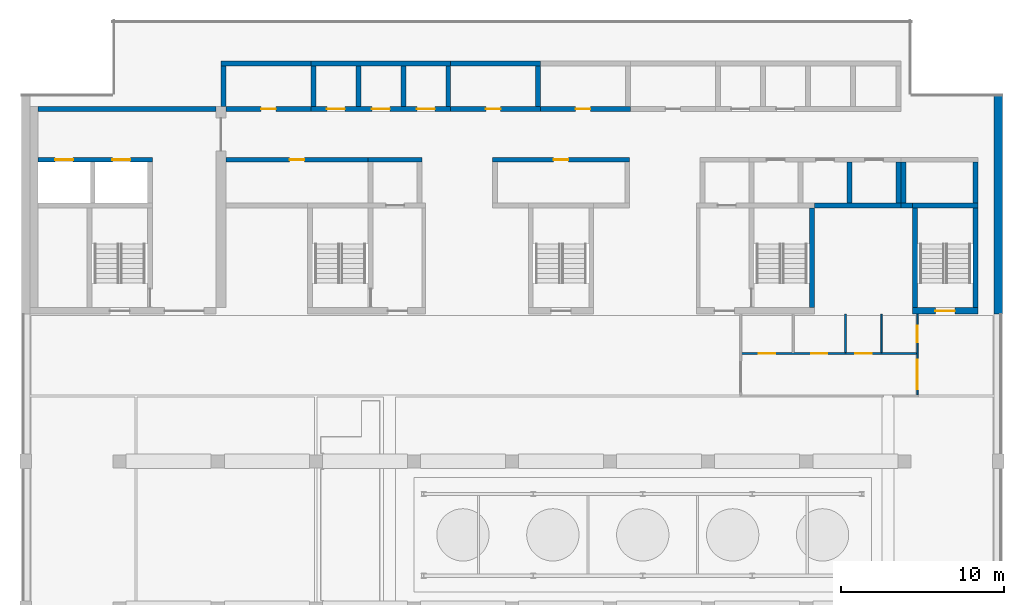
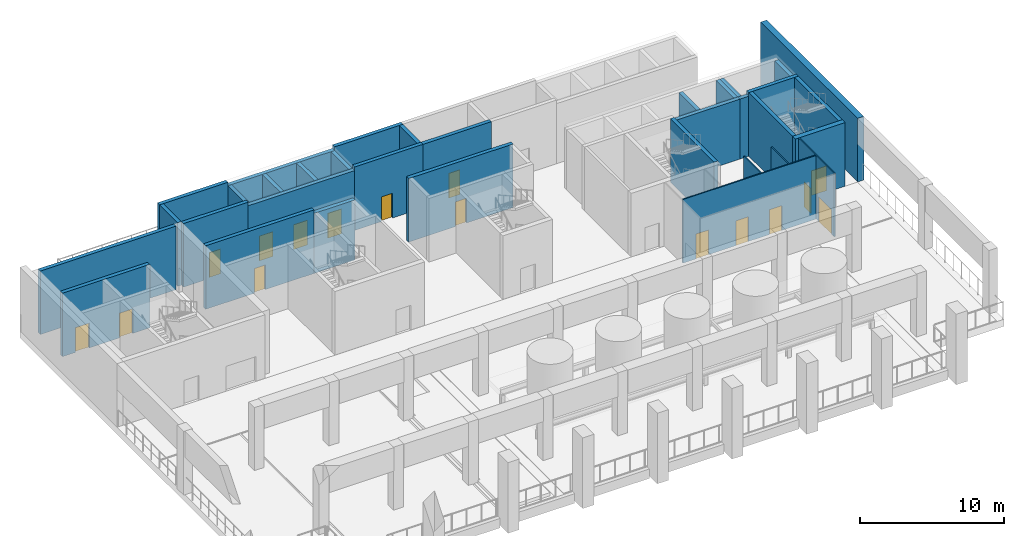
# One storey, part 5 of 11: 34 walls, 16 doors, 16 openings.
"""IFC4 building model written with IfcOpenShell, lengths in metres."""

from ifc_helpers import new_model, si_unit, direction, frame, frame_2d, origin, place, context, subcontext, project, spatial, rectangle, extrude, material, layer, layer_set, type_object, element, fill, save


model = new_model("IFC4")

# Units and contexts
model_context = context("Model", 3, precision=1e-05, world=origin(), true_north=direction((0.0, 1.0)))
body_context = subcontext(model_context, "Body", "Model", "MODEL_VIEW")
ifc_project = project(units=[si_unit("LENGTHUNIT", "METRE"), si_unit("AREAUNIT", "SQUARE_METRE"), si_unit("VOLUMEUNIT", "CUBIC_METRE"), si_unit("PLANEANGLEUNIT", "RADIAN"), si_unit("MASSUNIT", "GRAM", prefix="KILO")], contexts=[model_context])

# Site, building, storey
site_placement = place(None, origin())
site = spatial("IfcSite", under=ifc_project, at=site_placement, CompositionType="ELEMENT")
building_placement = place(site_placement, origin())
building = spatial("IfcBuilding", under=site, at=building_placement, Name="Calvaro Tower", CompositionType="ELEMENT")
storey_placement = place(building_placement, frame((0.0, 0.0, 265.949951171875)))
storey = spatial("IfcBuildingStorey", under=building, at=storey_placement, Name="L67", CompositionType="ELEMENT", Elevation=265.949951171875)

# Wall
ifc_material_1 = material(Name="Blockwork partition", Category="masonry")
ifc_layer_1 = layer(ifc_material_1, 0.300048828125)
ifc_layer_set_1 = layer_set([ifc_layer_1], Name="Blockwork partition")
wall_type_1 = type_object("IfcWallType", Name="Core partition 300 REI 120", PredefinedType="PARTITIONING", material=ifc_layer_set_1)
wall_1_placement = place(storey_placement, frame((7.0, 40.550048828125, 0.0), z_axis=(0.0, 0.0, 1.0), x_axis=(1.0, 0.0, 0.0)))
element("IfcWall", 1, at=wall_1_placement, inside=storey, type_object=wall_type_1, Name="Core partition", PredefinedType="PARTITIONING", context=body_context, shape_type="SweptSolid", body=[
    extrude(rectangle(XDim=10.89990234375, YDim=0.300048828125, at=frame_2d((5.449951171875, 0.0))), origin(), (0.0, 0.0, 1.0), 5.400146484375),
])

# Wall, opening, door
wall_2_placement = place(storey_placement, frame((18.5, 37.449951171875, 0.0), z_axis=(0.0, 0.0, 1.0), x_axis=(1.0, 0.0, 0.0)))
wall_2 = element("IfcWall", 2, at=wall_2_placement, inside=storey, type_object=wall_type_1, Name="Core partition", PredefinedType="PARTITIONING", context=body_context, shape_type="SweptSolid", body=[
    extrude(rectangle(XDim=8.699951171875, YDim=0.300048828125, at=frame_2d((4.35009765625, 0.0))), origin(), (0.0, 0.0, 1.0), 5.400146484375),
])
opening_1_placement = place(wall_2_placement, frame((3.89990234375, 0.0, 0.0)))
opening_1 = element("IfcOpeningElement", 3, at=opening_1_placement, cuts=wall_2, Name="Opening RD9E", PredefinedType="OPENING", context=body_context, shape_type="SweptSolid", body=[
    extrude(rectangle(XDim=0.89990234375, YDim=2.10009765625, at=frame_2d((0.449951171875, 1.050048828125))), frame((0.0, 0.159912109375, 0.0), z_axis=(0.0, -1.0, 0.0), x_axis=(1.0, 0.0, 0.0)), (0.0, 0.0, 1.0), 0.320068359375),
])
ifc_material_2 = material(Name="Steel door set", Category="steel")
door_type_1 = type_object("IfcDoorType", Name="Room door 900 FD60", OperationType="SINGLE_SWING_LEFT", PredefinedType="DOOR", material=ifc_material_2)
door_1_placement = place(opening_1_placement, origin())
door_1 = element("IfcDoor", 4, at=door_1_placement, inside=storey, type_object=door_type_1, Name="Room door", OperationType="SINGLE_SWING_RIGHT", OverallHeight=2.10009765625, OverallWidth=0.89990234375, PredefinedType="DOOR", context=body_context, shape_type="SweptSolid", body=[
    extrude(rectangle(XDim=0.89990234375, YDim=2.10009765625, at=frame_2d((0.449951171875, 1.050048828125))), frame((0.0, 0.02490234375, 0.0), z_axis=(0.0, -1.0, 0.0), x_axis=(1.0, 0.0, 0.0)), (0.0, 0.0, 1.0), 0.050048828125),
])
fill(opening_1, door_1)

wall_3_placement = place(storey_placement, frame((34.800048828125, 37.449951171875, 0.0), z_axis=(0.0, 0.0, 1.0), x_axis=(1.0, 0.0, 0.0)))
wall_3 = element("IfcWall", 5, at=wall_3_placement, inside=storey, type_object=wall_type_1, Name="Core partition", PredefinedType="PARTITIONING", context=body_context, shape_type="SweptSolid", body=[
    extrude(rectangle(XDim=8.39990234375, YDim=0.300048828125, at=frame_2d((4.199951171875, 0.0))), origin(), (0.0, 0.0, 1.0), 5.400146484375),
])
opening_2_placement = place(wall_3_placement, frame((3.75, 0.0, 0.0)))
opening_2 = element("IfcOpeningElement", 6, at=opening_2_placement, cuts=wall_3, Name="Opening RD9E", PredefinedType="OPENING", context=body_context, shape_type="SweptSolid", body=[
    extrude(rectangle(XDim=0.89990234375, YDim=2.10009765625, at=frame_2d((0.449951171875, 1.050048828125))), frame((0.0, 0.159912109375, 0.0), z_axis=(0.0, -1.0, 0.0), x_axis=(1.0, 0.0, 0.0)), (0.0, 0.0, 1.0), 0.320068359375),
])
door_2_placement = place(opening_2_placement, origin())
door_2 = element("IfcDoor", 7, at=door_2_placement, inside=storey, type_object=door_type_1, Name="Room door", OperationType="SINGLE_SWING_LEFT", OverallHeight=2.10009765625, OverallWidth=0.89990234375, PredefinedType="DOOR", context=body_context, shape_type="SweptSolid", body=[
    extrude(rectangle(XDim=0.89990234375, YDim=2.10009765625, at=frame_2d((0.449951171875, 1.050048828125))), frame((0.0, 0.02490234375, 0.0), z_axis=(0.0, -1.0, 0.0), x_axis=(1.0, 0.0, 0.0)), (0.0, 0.0, 1.0), 0.050048828125),
])
fill(opening_2, door_2)

wall_4_placement = place(storey_placement, frame((18.5, 40.550048828125, 0.0), z_axis=(0.0, 0.0, 1.0), x_axis=(1.0, 0.0, 0.0)))
wall_4 = element("IfcWall", 8, at=wall_4_placement, inside=storey, type_object=wall_type_1, Name="Core partition", PredefinedType="PARTITIONING", context=body_context, shape_type="SweptSolid", body=[
    extrude(rectangle(XDim=5.199951171875, YDim=0.300048828125, at=frame_2d((2.60009765625, 0.0))), origin(), (0.0, 0.0, 1.0), 5.400146484375),
])
opening_3_placement = place(wall_4_placement, frame((2.14990234375, 0.0, 0.0)))
opening_3 = element("IfcOpeningElement", 9, at=opening_3_placement, cuts=wall_4, Name="Opening RD9E", PredefinedType="OPENING", context=body_context, shape_type="SweptSolid", body=[
    extrude(rectangle(XDim=0.89990234375, YDim=2.10009765625, at=frame_2d((0.449951171875, 1.050048828125))), frame((0.0, 0.159912109375, 0.0), z_axis=(0.0, -1.0, 0.0), x_axis=(1.0, 0.0, 0.0)), (0.0, 0.0, 1.0), 0.320068359375),
])
door_3_placement = place(opening_3_placement, origin())
door_3 = element("IfcDoor", 10, at=door_3_placement, inside=storey, type_object=door_type_1, Name="Room door", OperationType="SINGLE_SWING_RIGHT", OverallHeight=2.10009765625, OverallWidth=0.89990234375, PredefinedType="DOOR", context=body_context, shape_type="SweptSolid", body=[
    extrude(rectangle(XDim=0.89990234375, YDim=2.10009765625, at=frame_2d((0.449951171875, 1.050048828125))), frame((0.0, 0.02490234375, 0.0), z_axis=(0.0, -1.0, 0.0), x_axis=(1.0, 0.0, 0.0)), (0.0, 0.0, 1.0), 0.050048828125),
])
fill(opening_3, door_3)

# Walls
wall_5_placement = place(storey_placement, frame((18.199951171875, 43.35009765625, 0.0), z_axis=(0.0, 0.0, 1.0), x_axis=(1.0, 0.0, 0.0)))
element("IfcWall", 11, at=wall_5_placement, inside=storey, type_object=wall_type_1, Name="Core partition", PredefinedType="PARTITIONING", context=body_context, shape_type="SweptSolid", body=[
    extrude(rectangle(XDim=5.5, YDim=0.300048828125, at=frame_2d((2.75, 0.0))), origin(), (0.0, 0.0, 1.0), 5.400146484375),
])
wall_6_placement = place(storey_placement, frame((18.35009765625, 40.699951171875, 0.0), z_axis=(0.0, 0.0, 1.0), x_axis=(0.0, 1.0, 0.0)))
element("IfcWall", 12, at=wall_6_placement, inside=storey, type_object=wall_type_1, Name="Core partition", PredefinedType="PARTITIONING", context=body_context, shape_type="SweptSolid", body=[
    extrude(rectangle(XDim=2.5, YDim=0.300048828125, at=frame_2d((1.25, 0.0))), origin(), (0.0, 0.0, 1.0), 5.400146484375),
])

# Wall, opening, door
wall_7_placement = place(storey_placement, frame((32.25, 40.550048828125, 0.0), z_axis=(0.0, 0.0, 1.0), x_axis=(1.0, 0.0, 0.0)))
wall_7 = element("IfcWall", 13, at=wall_7_placement, inside=storey, type_object=wall_type_1, Name="Core partition", PredefinedType="PARTITIONING", context=body_context, shape_type="SweptSolid", body=[
    extrude(rectangle(XDim=5.5, YDim=0.300048828125, at=frame_2d((2.75, 0.0))), origin(), (0.0, 0.0, 1.0), 5.400146484375),
])
opening_4_placement = place(wall_7_placement, frame((2.14990234375, 0.0, 0.0)))
opening_4 = element("IfcOpeningElement", 14, at=opening_4_placement, cuts=wall_7, Name="Opening RD9E", PredefinedType="OPENING", context=body_context, shape_type="SweptSolid", body=[
    extrude(rectangle(XDim=0.89990234375, YDim=2.10009765625, at=frame_2d((0.449951171875, 1.050048828125))), frame((0.0, 0.159912109375, 0.0), z_axis=(0.0, -1.0, 0.0), x_axis=(1.0, 0.0, 0.0)), (0.0, 0.0, 1.0), 0.320068359375),
])
door_4_placement = place(opening_4_placement, origin())
door_4 = element("IfcDoor", 15, at=door_4_placement, inside=storey, type_object=door_type_1, Name="Room door", OperationType="SINGLE_SWING_LEFT", OverallHeight=2.10009765625, OverallWidth=0.89990234375, PredefinedType="DOOR", context=body_context, shape_type="SweptSolid", body=[
    extrude(rectangle(XDim=0.89990234375, YDim=2.10009765625, at=frame_2d((0.449951171875, 1.050048828125))), frame((0.0, 0.02490234375, 0.0), z_axis=(0.0, -1.0, 0.0), x_axis=(1.0, 0.0, 0.0)), (0.0, 0.0, 1.0), 0.050048828125),
])
fill(opening_4, door_4)

# Walls
wall_8_placement = place(storey_placement, frame((32.25, 43.35009765625, 0.0), z_axis=(0.0, 0.0, 1.0), x_axis=(1.0, 0.0, 0.0)))
element("IfcWall", 16, at=wall_8_placement, inside=storey, type_object=wall_type_1, Name="Core partition", PredefinedType="PARTITIONING", context=body_context, shape_type="SweptSolid", body=[
    extrude(rectangle(XDim=5.5, YDim=0.300048828125, at=frame_2d((2.75, 0.0))), origin(), (0.0, 0.0, 1.0), 5.400146484375),
])
wall_9_placement = place(storey_placement, frame((37.60009765625, 40.699951171875, 0.0), z_axis=(0.0, 0.0, 1.0), x_axis=(0.0, 1.0, 0.0)))
element("IfcWall", 17, at=wall_9_placement, inside=storey, type_object=wall_type_1, Name="Core partition", PredefinedType="PARTITIONING", context=body_context, shape_type="SweptSolid", body=[
    extrude(rectangle(XDim=2.5, YDim=0.300048828125, at=frame_2d((1.25, 0.0))), origin(), (0.0, 0.0, 1.0), 5.400146484375),
])

# Wall, opening, door
wall_10_placement = place(storey_placement, frame((37.75, 40.550048828125, 0.0), z_axis=(0.0, 0.0, 1.0), x_axis=(1.0, 0.0, 0.0)))
wall_10 = element("IfcWall", 18, at=wall_10_placement, inside=storey, type_object=wall_type_1, Name="Core partition", PredefinedType="PARTITIONING", context=body_context, shape_type="SweptSolid", body=[
    extrude(rectangle(XDim=5.5, YDim=0.300048828125, at=frame_2d((2.75, 0.0))), origin(), (0.0, 0.0, 1.0), 5.400146484375),
])
opening_5_placement = place(wall_10_placement, frame((2.14990234375, 0.0, 0.0)))
opening_5 = element("IfcOpeningElement", 19, at=opening_5_placement, cuts=wall_10, Name="Opening RD9E", PredefinedType="OPENING", context=body_context, shape_type="SweptSolid", body=[
    extrude(rectangle(XDim=0.89990234375, YDim=2.10009765625, at=frame_2d((0.449951171875, 1.050048828125))), frame((0.0, 0.159912109375, 0.0), z_axis=(0.0, -1.0, 0.0), x_axis=(1.0, 0.0, 0.0)), (0.0, 0.0, 1.0), 0.320068359375),
])
door_5_placement = place(opening_5_placement, origin())
door_5 = element("IfcDoor", 20, at=door_5_placement, inside=storey, type_object=door_type_1, Name="Room door", OperationType="SINGLE_SWING_LEFT", OverallHeight=2.10009765625, OverallWidth=0.89990234375, PredefinedType="DOOR", context=body_context, shape_type="SweptSolid", body=[
    extrude(rectangle(XDim=0.89990234375, YDim=2.10009765625, at=frame_2d((0.449951171875, 1.050048828125))), frame((0.0, 0.02490234375, 0.0), z_axis=(0.0, -1.0, 0.0), x_axis=(1.0, 0.0, 0.0)), (0.0, 0.0, 1.0), 0.050048828125),
])
fill(opening_5, door_5)

# Walls
ifc_material_3 = material(Name="Concrete C40/50", Category="concrete")
ifc_layer_2 = layer(ifc_material_3, 0.300048828125)
ifc_layer_set_2 = layer_set([ifc_layer_2], Name="Concrete C40/50")
wall_type_2 = type_object("IfcWallType", Name="Core wall C40/50 300", PredefinedType="SHEAR", material=ifc_layer_set_2)
for number, where, z_axis, x_axis, name in (
    (21, (54.35009765625, 28.39990234375, 0.0), (0.0, 0.0, 1.0), (0.0, 1.0, 0.0), "Core wall, stair enclosure"),
    (22, (60.64990234375, 28.39990234375, 0.0), (0.0, 0.0, 1.0), (0.0, 1.0, 0.0), "Core wall, stair enclosure"),
    (23, (64.35009765625, 28.39990234375, 0.0), (0.0, 0.0, 1.0), (0.0, 1.0, 0.0), "Core wall, stair enclosure"),
):
    element("IfcWall", number, at=place(storey_placement, frame(where, z_axis=z_axis, x_axis=x_axis)), inside=storey, type_object=wall_type_2, Name=name, PredefinedType="SHEAR", context=body_context, shape_type="SweptSolid", body=[
        extrude(rectangle(XDim=6.10009765625, YDim=0.300048828125, at=frame_2d((3.050048828125, 0.0))), origin(), (0.0, 0.0, 1.0), 5.400146484375),
    ])
wall_11_placement = place(storey_placement, frame((60.5, 34.64990234375, 0.0), z_axis=(0.0, 0.0, 1.0), x_axis=(1.0, 0.0, 0.0)))
element("IfcWall", 24, at=wall_11_placement, inside=storey, type_object=wall_type_2, Name="Core wall, stair enclosure", PredefinedType="SHEAR", context=body_context, shape_type="SweptSolid", body=[
    extrude(rectangle(XDim=4.0, YDim=0.300048828125, at=frame_2d((2.0, 0.0))), origin(), (0.0, 0.0, 1.0), 5.400146484375),
])

# Wall, openings, doors
wall_12_placement = place(storey_placement, frame((7.0, 37.449951171875, 0.0), z_axis=(0.0, 0.0, 1.0), x_axis=(1.0, 0.0, 0.0)))
wall_12 = element("IfcWall", 25, at=wall_12_placement, inside=storey, type_object=wall_type_2, Name="Core wall, lift shaft", PredefinedType="SHEAR", context=body_context, shape_type="SweptSolid", body=[
    extrude(rectangle(XDim=7.0, YDim=0.300048828125, at=frame_2d((3.5, 0.0))), origin(), (0.0, 0.0, 1.0), 5.400146484375),
])
opening_6_placement = place(wall_12_placement, frame((1.050048828125, 0.0, 0.0)))
opening_6 = element("IfcOpeningElement", 26, at=opening_6_placement, cuts=wall_12, Name="Opening EX1", PredefinedType="OPENING", context=body_context, shape_type="SweptSolid", body=[
    extrude(rectangle(XDim=1.10009765625, YDim=2.10009765625, at=frame_2d((0.550048828125, 1.050048828125))), frame((0.0, 0.159912109375, 0.0), z_axis=(0.0, -1.0, 0.0), x_axis=(1.0, 0.0, 0.0)), (0.0, 0.0, 1.0), 0.320068359375),
])
opening_7_placement = place(wall_12_placement, frame((4.550048828125, 0.0, 0.0)))
opening_7 = element("IfcOpeningElement", 27, at=opening_7_placement, cuts=wall_12, Name="Opening EX2", PredefinedType="OPENING", context=body_context, shape_type="SweptSolid", body=[
    extrude(rectangle(XDim=1.10009765625, YDim=2.10009765625, at=frame_2d((0.550048828125, 1.050048828125))), frame((0.0, 0.159912109375, 0.0), z_axis=(0.0, -1.0, 0.0), x_axis=(1.0, 0.0, 0.0)), (0.0, 0.0, 1.0), 0.320068359375),
])
ifc_material_4 = material(Name="Stainless steel", Category="steel")
door_type_2 = type_object("IfcDoorType", Name="Landing door 1100 E 60", OperationType="SLIDING_TO_LEFT", PredefinedType="DOOR", material=ifc_material_4)
door_6_placement = place(opening_6_placement, origin())
door_6 = element("IfcDoor", 28, at=door_6_placement, inside=storey, type_object=door_type_2, Name="Landing door EX1", OperationType="SLIDING_TO_LEFT", OverallHeight=2.10009765625, OverallWidth=1.10009765625, PredefinedType="DOOR", context=body_context, shape_type="SweptSolid", body=[
    extrude(rectangle(XDim=1.10009765625, YDim=2.10009765625, at=frame_2d((0.550048828125, 1.050048828125))), frame((0.0, 0.02490234375, 0.0), z_axis=(0.0, -1.0, 0.0), x_axis=(1.0, 0.0, 0.0)), (0.0, 0.0, 1.0), 0.050048828125),
])
fill(opening_6, door_6)
door_7_placement = place(opening_7_placement, origin())
door_7 = element("IfcDoor", 29, at=door_7_placement, inside=storey, type_object=door_type_2, Name="Landing door EX2", OperationType="SLIDING_TO_LEFT", OverallHeight=2.10009765625, OverallWidth=1.10009765625, PredefinedType="DOOR", context=body_context, shape_type="SweptSolid", body=[
    extrude(rectangle(XDim=1.10009765625, YDim=2.10009765625, at=frame_2d((0.550048828125, 1.050048828125))), frame((0.0, 0.02490234375, 0.0), z_axis=(0.0, -1.0, 0.0), x_axis=(1.0, 0.0, 0.0)), (0.0, 0.0, 1.0), 0.050048828125),
])
fill(opening_7, door_7)

# Walls
wall_13_placement = place(storey_placement, frame((54.5, 34.64990234375, 0.0), z_axis=(0.0, 0.0, 1.0), x_axis=(1.0, 0.0, 0.0)))
element("IfcWall", 30, at=wall_13_placement, inside=storey, type_object=wall_type_2, Name="Core wall, lift shaft", PredefinedType="SHEAR", context=body_context, shape_type="SweptSolid", body=[
    extrude(rectangle(XDim=5.300048828125, YDim=0.300048828125, at=frame_2d((2.64990234375, 0.0))), origin(), (0.0, 0.0, 1.0), 5.10009765625),
])
for number, where, z_axis, x_axis, name in (
    (31, (59.64990234375, 34.800048828125, 0.0), (0.0, 0.0, 1.0), (0.0, 1.0, 0.0), "Core wall, lift shaft"),
    (32, (56.64990234375, 34.800048828125, 0.0), (0.0, 0.0, 1.0), (0.0, 1.0, 0.0), "Core wall, lift shaft"),
):
    element("IfcWall", number, at=place(storey_placement, frame(where, z_axis=z_axis, x_axis=x_axis)), inside=storey, type_object=wall_type_2, Name=name, PredefinedType="SHEAR", context=body_context, shape_type="SweptSolid", body=[
        extrude(rectangle(XDim=2.5, YDim=0.300048828125, at=frame_2d((1.25, 0.0))), origin(), (0.0, 0.0, 1.0), 5.10009765625),
    ])

# Wall, openings, doors
wall_14_placement = place(storey_placement, frame((23.699951171875, 40.550048828125, 0.0), z_axis=(0.0, 0.0, 1.0), x_axis=(1.0, 0.0, 0.0)))
wall_14 = element("IfcWall", 33, at=wall_14_placement, inside=storey, type_object=wall_type_2, Name="Core wall, lift shaft", PredefinedType="SHEAR", context=body_context, shape_type="SweptSolid", body=[
    extrude(rectangle(XDim=8.550048828125, YDim=0.300048828125, at=frame_2d((4.27490234375, 0.0))), origin(), (0.0, 0.0, 1.0), 5.10009765625),
])
opening_8_placement = place(wall_14_placement, frame((0.97509765625, 0.0, 0.0)))
opening_8 = element("IfcOpeningElement", 34, at=opening_8_placement, cuts=wall_14, Name="Opening HR4", PredefinedType="OPENING", context=body_context, shape_type="SweptSolid", body=[
    extrude(rectangle(XDim=1.10009765625, YDim=2.10009765625, at=frame_2d((0.550048828125, 1.050048828125))), frame((0.0, 0.159912109375, 0.0), z_axis=(0.0, -1.0, 0.0), x_axis=(1.0, 0.0, 0.0)), (0.0, 0.0, 1.0), 0.320068359375),
])
opening_9_placement = place(wall_14_placement, frame((3.72509765625, 0.0, 0.0)))
opening_9 = element("IfcOpeningElement", 35, at=opening_9_placement, cuts=wall_14, Name="Opening HR5", PredefinedType="OPENING", context=body_context, shape_type="SweptSolid", body=[
    extrude(rectangle(XDim=1.10009765625, YDim=2.10009765625, at=frame_2d((0.550048828125, 1.050048828125))), frame((0.0, 0.159912109375, 0.0), z_axis=(0.0, -1.0, 0.0), x_axis=(1.0, 0.0, 0.0)), (0.0, 0.0, 1.0), 0.320068359375),
])
opening_10_placement = place(wall_14_placement, frame((6.47509765625, 0.0, 0.0)))
opening_10 = element("IfcOpeningElement", 36, at=opening_10_placement, cuts=wall_14, Name="Opening HR6", PredefinedType="OPENING", context=body_context, shape_type="SweptSolid", body=[
    extrude(rectangle(XDim=1.10009765625, YDim=2.10009765625, at=frame_2d((0.550048828125, 1.050048828125))), frame((0.0, 0.159912109375, 0.0), z_axis=(0.0, -1.0, 0.0), x_axis=(1.0, 0.0, 0.0)), (0.0, 0.0, 1.0), 0.320068359375),
])
door_8_placement = place(opening_8_placement, origin())
door_8 = element("IfcDoor", 37, at=door_8_placement, inside=storey, type_object=door_type_2, Name="Landing door HR4", OperationType="SLIDING_TO_LEFT", OverallHeight=2.10009765625, OverallWidth=1.10009765625, PredefinedType="DOOR", context=body_context, shape_type="SweptSolid", body=[
    extrude(rectangle(XDim=1.10009765625, YDim=2.10009765625, at=frame_2d((0.550048828125, 1.050048828125))), frame((0.0, 0.02490234375, 0.0), z_axis=(0.0, -1.0, 0.0), x_axis=(1.0, 0.0, 0.0)), (0.0, 0.0, 1.0), 0.050048828125),
])
fill(opening_8, door_8)
door_9_placement = place(opening_9_placement, origin())
door_9 = element("IfcDoor", 38, at=door_9_placement, inside=storey, type_object=door_type_2, Name="Landing door HR5", OperationType="SLIDING_TO_LEFT", OverallHeight=2.10009765625, OverallWidth=1.10009765625, PredefinedType="DOOR", context=body_context, shape_type="SweptSolid", body=[
    extrude(rectangle(XDim=1.10009765625, YDim=2.10009765625, at=frame_2d((0.550048828125, 1.050048828125))), frame((0.0, 0.02490234375, 0.0), z_axis=(0.0, -1.0, 0.0), x_axis=(1.0, 0.0, 0.0)), (0.0, 0.0, 1.0), 0.050048828125),
])
fill(opening_9, door_9)
door_10_placement = place(opening_10_placement, origin())
door_10 = element("IfcDoor", 39, at=door_10_placement, inside=storey, type_object=door_type_2, Name="Landing door HR6", OperationType="SLIDING_TO_LEFT", OverallHeight=2.10009765625, OverallWidth=1.10009765625, PredefinedType="DOOR", context=body_context, shape_type="SweptSolid", body=[
    extrude(rectangle(XDim=1.10009765625, YDim=2.10009765625, at=frame_2d((0.550048828125, 1.050048828125))), frame((0.0, 0.02490234375, 0.0), z_axis=(0.0, -1.0, 0.0), x_axis=(1.0, 0.0, 0.0)), (0.0, 0.0, 1.0), 0.050048828125),
])
fill(opening_10, door_10)

# Walls
wall_15_placement = place(storey_placement, frame((23.699951171875, 43.35009765625, 0.0), z_axis=(0.0, 0.0, 1.0), x_axis=(1.0, 0.0, 0.0)))
element("IfcWall", 40, at=wall_15_placement, inside=storey, type_object=wall_type_2, Name="Core wall, lift shaft", PredefinedType="SHEAR", context=body_context, shape_type="SweptSolid", body=[
    extrude(rectangle(XDim=8.550048828125, YDim=0.300048828125, at=frame_2d((4.27490234375, 0.0))), origin(), (0.0, 0.0, 1.0), 5.10009765625),
])
for number, where, z_axis, x_axis, name in (
    (41, (23.85009765625, 40.699951171875, 0.0), (0.0, 0.0, 1.0), (0.0, 1.0, 0.0), "Core wall, lift shaft"),
    (42, (32.10009765625, 40.699951171875, 0.0), (0.0, 0.0, 1.0), (0.0, 1.0, 0.0), "Core wall, lift shaft"),
    (43, (26.60009765625, 40.699951171875, 0.0), (0.0, 0.0, 1.0), (0.0, 1.0, 0.0), "Core wall, lift shaft"),
    (44, (29.35009765625, 40.699951171875, 0.0), (0.0, 0.0, 1.0), (0.0, 1.0, 0.0), "Core wall, lift shaft"),
):
    element("IfcWall", number, at=place(storey_placement, frame(where, z_axis=z_axis, x_axis=x_axis)), inside=storey, type_object=wall_type_2, Name=name, PredefinedType="SHEAR", context=body_context, shape_type="SweptSolid", body=[
        extrude(rectangle(XDim=2.5, YDim=0.300048828125, at=frame_2d((1.25, 0.0))), origin(), (0.0, 0.0, 1.0), 5.10009765625),
    ])
wall_16_placement = place(storey_placement, frame((27.199951171875, 37.449951171875, 0.0), z_axis=(0.0, 0.0, 1.0), x_axis=(1.0, 0.0, 0.0)))
element("IfcWall", 45, at=wall_16_placement, inside=storey, type_object=wall_type_2, Name="Core wall, lift shaft", PredefinedType="SHEAR", context=body_context, shape_type="SweptSolid", body=[
    extrude(rectangle(XDim=3.300048828125, YDim=0.300048828125, at=frame_2d((1.64990234375, 0.0))), origin(), (0.0, 0.0, 1.0), 5.10009765625),
])
wall_17_placement = place(storey_placement, frame((59.800048828125, 34.64990234375, 0.0), z_axis=(0.0, 0.0, 1.0), x_axis=(1.0, 0.0, 0.0)))
element("IfcWall", 46, at=wall_17_placement, inside=storey, type_object=wall_type_2, Name="Core wall, lift shaft", PredefinedType="SHEAR", context=body_context, shape_type="SweptSolid", body=[
    extrude(rectangle(XDim=0.699951171875, YDim=0.300048828125, at=frame_2d((0.35009765625, 0.0))), origin(), (0.0, 0.0, 1.0), 5.10009765625),
])
for number, where, z_axis, x_axis, name in (
    (47, (59.949951171875, 34.800048828125, 0.0), (0.0, 0.0, 1.0), (0.0, 1.0, 0.0), "Core wall, lift shaft"),
    (48, (64.35009765625, 34.800048828125, 0.0), (0.0, 0.0, 1.0), (0.0, 1.0, 0.0), "Core wall, lift shaft"),
):
    element("IfcWall", number, at=place(storey_placement, frame(where, z_axis=z_axis, x_axis=x_axis)), inside=storey, type_object=wall_type_2, Name=name, PredefinedType="SHEAR", context=body_context, shape_type="SweptSolid", body=[
        extrude(rectangle(XDim=2.5, YDim=0.300048828125, at=frame_2d((1.25, 0.0))), origin(), (0.0, 0.0, 1.0), 5.10009765625),
    ])

# Wall, opening, door
ifc_material_5 = material(Name="Concrete C40/50", Category="concrete")
ifc_layer_3 = layer(ifc_material_5, 0.39990234375)
ifc_layer_set_3 = layer_set([ifc_layer_3], Name="Concrete C40/50")
wall_type_3 = type_object("IfcWallType", Name="Core wall C40/50 400", PredefinedType="SHEAR", material=ifc_layer_set_3)
wall_18_placement = place(storey_placement, frame((60.5, 28.199951171875, 0.0), z_axis=(0.0, 0.0, 1.0), x_axis=(1.0, 0.0, 0.0)))
wall_18 = element("IfcWall", 49, at=wall_18_placement, inside=storey, type_object=wall_type_3, Name="Core wall, front", PredefinedType="SHEAR", context=body_context, shape_type="SweptSolid", body=[
    extrude(rectangle(XDim=4.0, YDim=0.39990234375, at=frame_2d((2.0, 0.0))), origin(), (0.0, 0.0, 1.0), 5.400146484375),
])
opening_11_placement = place(wall_18_placement, frame((1.39990234375, 0.0, 0.0)))
opening_11 = element("IfcOpeningElement", 50, at=opening_11_placement, cuts=wall_18, Name="Opening SD12D", PredefinedType="OPENING", context=body_context, shape_type="SweptSolid", body=[
    extrude(rectangle(XDim=1.199951171875, YDim=2.10009765625, at=frame_2d((0.60009765625, 1.050048828125))), frame((0.0, 0.2099609375, 0.0), z_axis=(0.0, -1.0, 0.0), x_axis=(1.0, 0.0, 0.0)), (0.0, 0.0, 1.0), 0.419921875),
])
ifc_material_6 = material(Name="Steel door set", Category="steel")
door_type_3 = type_object("IfcDoorType", Name="Stair door 1200 FD30S", OperationType="SINGLE_SWING_LEFT", PredefinedType="DOOR", material=ifc_material_6)
door_11_placement = place(opening_11_placement, origin())
door_11 = element("IfcDoor", 51, at=door_11_placement, inside=storey, type_object=door_type_3, Name="Stair door", OperationType="SINGLE_SWING_LEFT", OverallHeight=2.10009765625, OverallWidth=1.199951171875, PredefinedType="DOOR", context=body_context, shape_type="SweptSolid", body=[
    extrude(rectangle(XDim=1.199951171875, YDim=2.10009765625, at=frame_2d((0.60009765625, 1.050048828125))), frame((0.0, 0.02490234375, 0.0), z_axis=(0.0, -1.0, 0.0), x_axis=(1.0, 0.0, 0.0)), (0.0, 0.0, 1.0), 0.050048828125),
])
fill(opening_11, door_11)

# Wall
ifc_material_7 = material(Name="Concrete C40/50", Category="concrete")
ifc_layer_4 = layer(ifc_material_7, 0.5)
ifc_layer_set_4 = layer_set([ifc_layer_4], Name="Concrete C40/50")
wall_type_4 = type_object("IfcWallType", Name="End wall 500 C40/50", PredefinedType="SHEAR", material=ifc_layer_set_4)
wall_19_placement = place(storey_placement, frame((65.75, 28.0, 0.0), z_axis=(0.0, 0.0, 1.0), x_axis=(0.0, 1.0, 0.0)))
element("IfcWall", 52, at=wall_19_placement, inside=storey, type_object=wall_type_4, Name="End shear wall", PredefinedType="SHEAR", context=body_context, shape_type="SweptSolid", body=[
    extrude(rectangle(XDim=13.5, YDim=0.5, at=frame_2d((6.75, 0.0))), origin(), (0.0, 0.0, 1.0), 5.400146484375),
])

# Wall, openings, doors
ifc_material_8 = material(Name="Plasterboard on steel studs", Category="steel")
ifc_layer_5 = layer(ifc_material_8, 0.10009765625)
ifc_layer_set_5 = layer_set([ifc_layer_5], Name="Plasterboard on steel studs")
wall_type_5 = type_object("IfcWallType", Name="Partition 100", PredefinedType="PARTITIONING", material=ifc_layer_set_5)
wall_20_placement = place(storey_placement, frame((50.050048828125, 25.60009765625, 0.0), z_axis=(0.0, 0.0, 1.0), x_axis=(1.0, 0.0, 0.0)))
wall_20 = element("IfcWall", 53, at=wall_20_placement, inside=storey, type_object=wall_type_5, Name="Partition T39.W003", PredefinedType="PARTITIONING", context=body_context, shape_type="SweptSolid", body=[
    extrude(rectangle(XDim=10.699951171875, YDim=0.10009765625, at=frame_2d((5.35009765625, 0.0))), origin(), (0.0, 0.0, 1.0), 5.400146484375),
])
opening_12_placement = place(wall_20_placement, frame((1.050048828125, 0.0, 0.0)))
opening_12 = element("IfcOpeningElement", 54, at=opening_12_placement, cuts=wall_20, Name="Opening T39.003", PredefinedType="OPENING", context=body_context, shape_type="SweptSolid", body=[
    extrude(rectangle(XDim=1.0, YDim=2.10009765625, at=frame_2d((0.5, 1.050048828125))), frame((0.0, 0.06005859375, 0.0), z_axis=(0.0, -1.0, 0.0), x_axis=(1.0, 0.0, 0.0)), (0.0, 0.0, 1.0), 0.1201171875),
])
opening_13_placement = place(wall_20_placement, frame((4.25, 0.0, 0.0)))
opening_13 = element("IfcOpeningElement", 55, at=opening_13_placement, cuts=wall_20, Name="Opening T39.004", PredefinedType="OPENING", context=body_context, shape_type="SweptSolid", body=[
    extrude(rectangle(XDim=1.0, YDim=2.10009765625, at=frame_2d((0.5, 1.050048828125))), frame((0.0, 0.06005859375, 0.0), z_axis=(0.0, -1.0, 0.0), x_axis=(1.0, 0.0, 0.0)), (0.0, 0.0, 1.0), 0.1201171875),
])
opening_14_placement = place(wall_20_placement, frame((6.949951171875, 0.0, 0.0)))
opening_14 = element("IfcOpeningElement", 56, at=opening_14_placement, cuts=wall_20, Name="Opening T39.005", PredefinedType="OPENING", context=body_context, shape_type="SweptSolid", body=[
    extrude(rectangle(XDim=1.0, YDim=2.10009765625, at=frame_2d((0.5, 1.050048828125))), frame((0.0, 0.06005859375, 0.0), z_axis=(0.0, -1.0, 0.0), x_axis=(1.0, 0.0, 0.0)), (0.0, 0.0, 1.0), 0.1201171875),
])
ifc_material_9 = material(Name="Timber", Category="wood")
door_type_4 = type_object("IfcDoorType", Name="Internal single door 1000 x 2100", OperationType="SINGLE_SWING_LEFT", PredefinedType="DOOR", material=ifc_material_9)
door_12_placement = place(opening_12_placement, origin())
door_12 = element("IfcDoor", 57, at=door_12_placement, inside=storey, type_object=door_type_4, Name="Door T39.003", OperationType="SINGLE_SWING_LEFT", OverallHeight=2.10009765625, OverallWidth=1.0, PredefinedType="DOOR", context=body_context, shape_type="SweptSolid", body=[
    extrude(rectangle(XDim=1.0, YDim=2.10009765625, at=frame_2d((0.5, 1.050048828125))), frame((0.0, 0.02490234375, 0.0), z_axis=(0.0, -1.0, 0.0), x_axis=(1.0, 0.0, 0.0)), (0.0, 0.0, 1.0), 0.050048828125),
])
fill(opening_12, door_12)
door_13_placement = place(opening_13_placement, origin())
door_13 = element("IfcDoor", 58, at=door_13_placement, inside=storey, type_object=door_type_4, Name="Door T39.004", OperationType="SINGLE_SWING_LEFT", OverallHeight=2.10009765625, OverallWidth=1.0, PredefinedType="DOOR", context=body_context, shape_type="SweptSolid", body=[
    extrude(rectangle(XDim=1.0, YDim=2.10009765625, at=frame_2d((0.5, 1.050048828125))), frame((0.0, 0.02490234375, 0.0), z_axis=(0.0, -1.0, 0.0), x_axis=(1.0, 0.0, 0.0)), (0.0, 0.0, 1.0), 0.050048828125),
])
fill(opening_13, door_13)
door_14_placement = place(opening_14_placement, origin())
door_14 = element("IfcDoor", 59, at=door_14_placement, inside=storey, type_object=door_type_4, Name="Door T39.005", OperationType="SINGLE_SWING_RIGHT", OverallHeight=2.10009765625, OverallWidth=1.0, PredefinedType="DOOR", context=body_context, shape_type="SweptSolid", body=[
    extrude(rectangle(XDim=1.0, YDim=2.10009765625, at=frame_2d((0.5, 1.050048828125))), frame((0.0, 0.02490234375, 0.0), z_axis=(0.0, -1.0, 0.0), x_axis=(1.0, 0.0, 0.0)), (0.0, 0.0, 1.0), 0.050048828125),
])
fill(opening_14, door_14)

# Walls
for number, where, z_axis, x_axis, name in (
    (60, (56.39990234375, 25.64990234375, 0.0), (0.0, 0.0, 1.0), (0.0, 1.0, 0.0), "Partition T39.W006"),
    (61, (58.60009765625, 25.64990234375, 0.0), (0.0, 0.0, 1.0), (0.0, 1.0, 0.0), "Partition T39.W007"),
):
    element("IfcWall", number, at=place(storey_placement, frame(where, z_axis=z_axis, x_axis=x_axis)), inside=storey, type_object=wall_type_5, Name=name, PredefinedType="PARTITIONING", context=body_context, shape_type="SweptSolid", body=[
        extrude(rectangle(XDim=2.35009765625, YDim=0.10009765625, at=frame_2d((1.175048828125, 0.0))), origin(), (0.0, 0.0, 1.0), 5.400146484375),
    ])

# Wall, openings, doors
wall_21_placement = place(storey_placement, frame((60.800048828125, 23.050048828125, 0.0), z_axis=(0.0, 0.0, 1.0), x_axis=(0.0, 1.0, 0.0)))
wall_21 = element("IfcWall", 62, at=wall_21_placement, inside=storey, type_object=wall_type_5, Name="Partition T39.W008", PredefinedType="PARTITIONING", context=body_context, shape_type="SweptSolid", body=[
    extrude(rectangle(XDim=4.949951171875, YDim=0.10009765625, at=frame_2d((2.47509765625, 0.0))), origin(), (0.0, 0.0, 1.0), 5.400146484375),
])
opening_15_placement = place(wall_21_placement, frame((0.35009765625, 0.0, 0.0)))
opening_15 = element("IfcOpeningElement", 63, at=opening_15_placement, cuts=wall_21, Name="Opening T39.002", PredefinedType="OPENING", context=body_context, shape_type="SweptSolid", body=[
    extrude(rectangle(XDim=1.800048828125, YDim=2.10009765625, at=frame_2d((0.89990234375, 1.050048828125))), frame((0.0, 0.06005859375, 0.0), z_axis=(0.0, -1.0, 0.0), x_axis=(1.0, 0.0, 0.0)), (0.0, 0.0, 1.0), 0.1201171875),
])
opening_16_placement = place(wall_21_placement, frame((3.25, 0.0, 0.0)))
opening_16 = element("IfcOpeningElement", 64, at=opening_16_placement, cuts=wall_21, Name="Opening T39.006", PredefinedType="OPENING", context=body_context, shape_type="SweptSolid", body=[
    extrude(rectangle(XDim=1.0, YDim=2.10009765625, at=frame_2d((0.5, 1.050048828125))), frame((0.0, 0.06005859375, 0.0), z_axis=(0.0, -1.0, 0.0), x_axis=(1.0, 0.0, 0.0)), (0.0, 0.0, 1.0), 0.1201171875),
])
ifc_material_10 = material(Name="Timber", Category="wood")
door_type_5 = type_object("IfcDoorType", Name="Internal double door 1800 x 2100", OperationType="DOUBLE_DOOR_SINGLE_SWING", PredefinedType="DOOR", material=ifc_material_10)
door_15_placement = place(opening_15_placement, origin())
door_15 = element("IfcDoor", 65, at=door_15_placement, inside=storey, type_object=door_type_5, Name="Door T39.002", OperationType="DOUBLE_DOOR_SINGLE_SWING", OverallHeight=2.10009765625, OverallWidth=1.800048828125, PredefinedType="DOOR", context=body_context, shape_type="SweptSolid", body=[
    extrude(rectangle(XDim=1.800048828125, YDim=2.10009765625, at=frame_2d((0.89990234375, 1.050048828125))), frame((0.0, 0.02490234375, 0.0), z_axis=(0.0, -1.0, 0.0), x_axis=(1.0, 0.0, 0.0)), (0.0, 0.0, 1.0), 0.050048828125),
])
fill(opening_15, door_15)
door_16_placement = place(opening_16_placement, origin())
door_16 = element("IfcDoor", 66, at=door_16_placement, inside=storey, type_object=door_type_4, Name="Door T39.006", OperationType="SINGLE_SWING_RIGHT", OverallHeight=2.10009765625, OverallWidth=1.0, PredefinedType="DOOR", context=body_context, shape_type="SweptSolid", body=[
    extrude(rectangle(XDim=1.0, YDim=2.10009765625, at=frame_2d((0.5, 1.050048828125))), frame((0.0, 0.02490234375, 0.0), z_axis=(0.0, -1.0, 0.0), x_axis=(1.0, 0.0, 0.0)), (0.0, 0.0, 1.0), 0.050048828125),
])
fill(opening_16, door_16)

save(model, "model.ifc")
